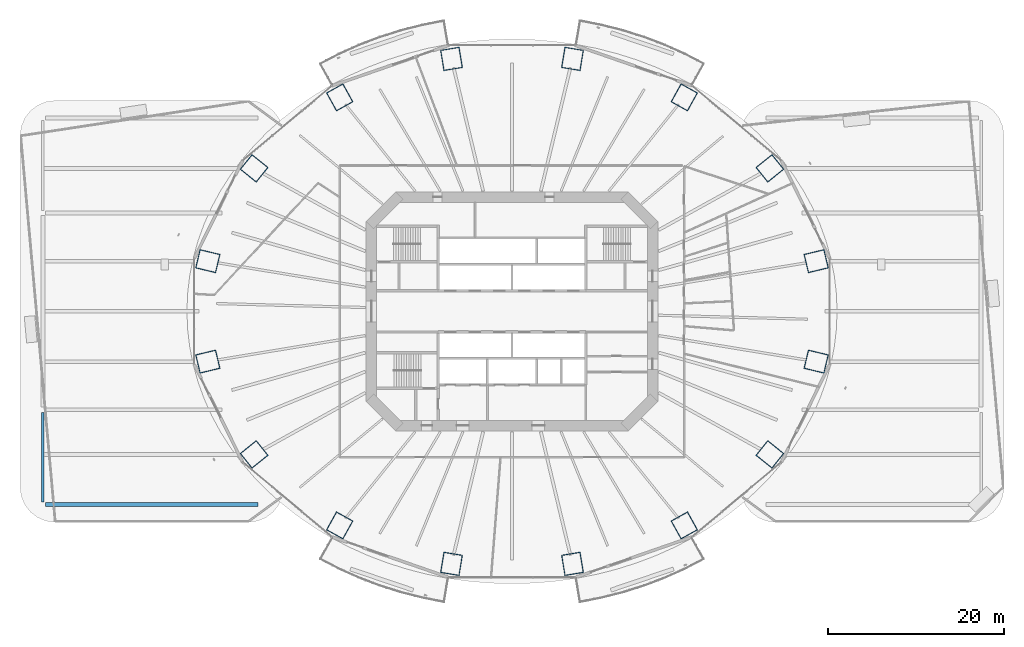
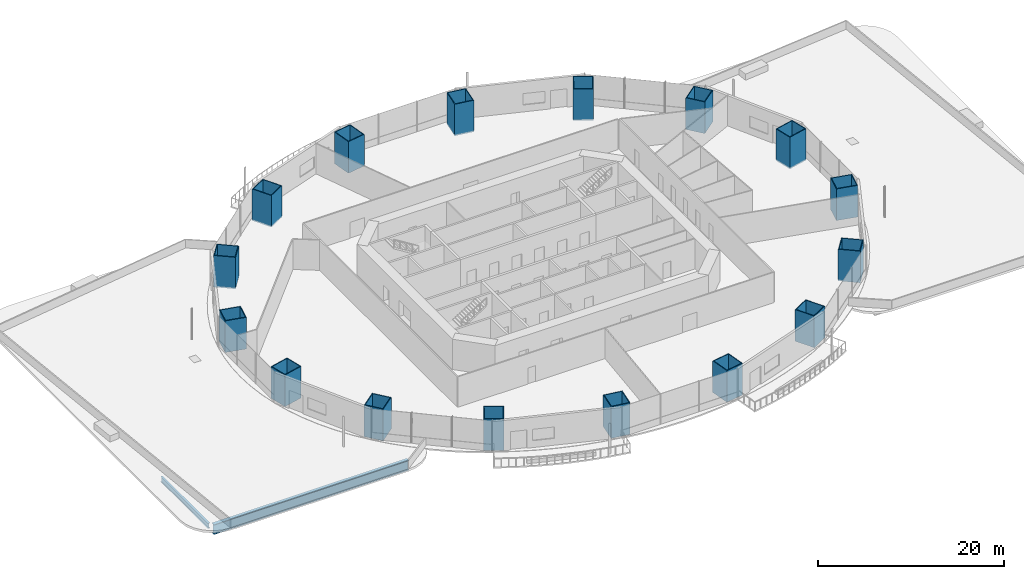
# One storey, part 1 of 27: 16 columns, 2 beams.
"""IFC4 building model written with IfcOpenShell, lengths in metres."""

from ifc_helpers import new_model, si_unit, direction, frame, origin, origin_2d, place, context, subcontext, project, spatial, rectangle, hollow_rectangle, i_section, extrude, material, material_profile, profile_set, type_object, element, save


model = new_model("IFC4")

# Units and contexts
model_context = context("Model", 3, precision=1e-05, world=origin(), true_north=direction((0.0, 1.0)))
body_context = subcontext(model_context, "Body", "Model", "MODEL_VIEW")
ifc_project = project(units=[si_unit("LENGTHUNIT", "METRE"), si_unit("AREAUNIT", "SQUARE_METRE"), si_unit("VOLUMEUNIT", "CUBIC_METRE"), si_unit("PLANEANGLEUNIT", "RADIAN"), si_unit("MASSUNIT", "GRAM", prefix="KILO")], contexts=[model_context])

# Site, building, storey
site_placement = place(None, origin())
site = spatial("IfcSite", under=ifc_project, at=site_placement, CompositionType="ELEMENT")
building_placement = place(site_placement, origin())
building = spatial("IfcBuilding", under=site, at=building_placement, Name="Marenthal Gate Tower", CompositionType="ELEMENT")
storey_placement = place(building_placement, frame((0.0, 0.0, 33.0)))
storey = spatial("IfcBuildingStorey", under=building, at=storey_placement, Name="L04", CompositionType="ELEMENT", Elevation=33.0)

# Columns
ifc_material_1 = material(Name="Steel S460", Category="steel")
ifc_material_profile_1 = material_profile(ifc_material_1, hollow_rectangle(XDim=2.199951171875, YDim=2.39990234375, WallThickness=0.090087890625, at=origin_2d()), Name="CFT BOX 2400X2200X90")
ifc_material_2 = material(Name="Concrete 70 MPa", Category="concrete")
ifc_material_profile_2 = material_profile(ifc_material_2, rectangle(XDim=2.02001953125, YDim=2.219970703125, at=origin_2d()), Name="CFT BOX 2400X2200X90 INFILL")
ifc_profile_set_1 = profile_set([ifc_material_profile_1, ifc_material_profile_2], Name="Steel S460 shell, Concrete 70 MPa infill")
column_type = type_object("IfcColumnType", Name="CFT BOX 2400X2200X90", PredefinedType="COLUMN", material=ifc_profile_set_1)
for number, where, z_axis, x_axis, name in (
    (1, (34.62158203125, 5.716064453125, -0.179931640625), (0.0, 0.0, 1.0), (0.2330465244, -0.972465586777, 0.0), "COL-L04-01"),
    (2, (29.350830078125, 16.2783203125, -0.179931640625), (0.0, 0.0, 1.0), (0.627070248118, -0.778962710228, 0.0), "COL-L04-02"),
    (3, (19.611572265625, 24.362060546875, -0.179931640625), (0.0, 0.0, 1.0), (0.874508838314, -0.485009578989, 0.0), "COL-L04-03"),
    (4, (6.88671875, 28.737060546875, -0.179931640625), (0.0, 0.0, 1.0), (0.986643047777, -0.162897195412, 0.0), "COL-L04-04"),
    (5, (-6.88671875, 28.737060546875, -0.179931640625), (0.0, 0.0, 1.0), (0.986643047777, 0.162897195412, 0.0), "COL-L04-05"),
    (6, (-19.611572265625, 24.362060546875, -0.179931640625), (0.0, 0.0, 1.0), (0.874508838314, 0.485009578989, 0.0), "COL-L04-06"),
    (7, (-29.350830078125, 16.2783203125, -0.179931640625), (0.0, 0.0, 1.0), (0.627070248118, 0.778962710228, 0.0), "COL-L04-07"),
    (8, (-34.62158203125, 5.716064453125, -0.179931640625), (0.0, 0.0, 1.0), (0.2330465244, 0.972465586777, 0.0), "COL-L04-08"),
    (9, (-34.62158203125, -5.716064453125, -0.179931640625), (0.0, 0.0, 1.0), (-0.2330465244, 0.972465586777, 0.0), "COL-L04-09"),
    (10, (-29.350830078125, -16.2783203125, -0.179931640625), (0.0, 0.0, 1.0), (-0.627070248118, 0.778962710228, 0.0), "COL-L04-10"),
    (11, (-19.611572265625, -24.362060546875, -0.179931640625), (0.0, 0.0, 1.0), (-0.874508838314, 0.485009578989, 0.0), "COL-L04-11"),
    (12, (-6.88671875, -28.737060546875, -0.179931640625), (0.0, 0.0, 1.0), (-0.986643047777, 0.162897195412, 0.0), "COL-L04-12"),
    (13, (6.88671875, -28.737060546875, -0.179931640625), (0.0, 0.0, 1.0), (-0.986643047777, -0.162897195412, 0.0), "COL-L04-13"),
    (14, (19.611572265625, -24.362060546875, -0.179931640625), (0.0, 0.0, 1.0), (-0.874508838314, -0.485009578989, 0.0), "COL-L04-14"),
    (15, (29.350830078125, -16.2783203125, -0.179931640625), (0.0, 0.0, 1.0), (-0.627070248118, -0.778962710228, 0.0), "COL-L04-15"),
    (16, (34.62158203125, -5.716064453125, -0.179931640625), (0.0, 0.0, 1.0), (-0.2330465244, -0.972465586777, 0.0), "COL-L04-16"),
):
    element("IfcColumn", number, at=place(storey_placement, frame(where, z_axis=z_axis, x_axis=x_axis)), inside=storey, type_object=column_type, Name=name, PredefinedType="COLUMN", context=body_context, shape_type="SweptSolid", body=[
        extrude(hollow_rectangle(XDim=2.199951171875, YDim=2.39990234375, WallThickness=0.090087890625, at=origin_2d()), origin(), (0.0, 0.0, 1.0), 4.14990234375),
    ])

# Beams
ifc_material_3 = material(Name="Steel S355", Category="steel")
ifc_material_profile_3 = material_profile(ifc_material_3, i_section(OverallWidth=0.4599609375, OverallDepth=1.300048828125, WebThickness=0.02490234375, FlangeThickness=0.044921875, at=origin_2d()), Name="PLATE GIRDER 1300X460X25X45")
ifc_profile_set_2 = profile_set([ifc_material_profile_3], Name="Steel S355")
beam_type_1 = type_object("IfcBeamType", Name="PLATE GIRDER 1300X460X25X45 beam", PredefinedType="BEAM", material=ifc_profile_set_2)
beam_1_placement = place(storey_placement, frame((-28.89990234375, -22.0, -0.989990234375), z_axis=(-1.0, 0.0, 0.0), x_axis=(0.0, -1.0, 0.0)))
element("IfcBeam", 17, at=beam_1_placement, inside=storey, type_object=beam_type_1, Name="BM-L04-116", PredefinedType="BEAM", context=body_context, shape_type="SweptSolid", body=[
    extrude(i_section(OverallWidth=0.4599609375, OverallDepth=1.300048828125, WebThickness=0.02490234375, FlangeThickness=0.044921875, at=origin_2d()), origin(), (0.0, 0.0, 1.0), 24.2001953125),
])
ifc_material_4 = material(Name="Steel S355", Category="steel")
ifc_material_profile_4 = material_profile(ifc_material_4, i_section(OverallWidth=0.25390625, OverallDepth=0.68310546875, WebThickness=0.012451171875, FlangeThickness=0.018798828125, FilletRadius=0.01513671875, at=origin_2d()), Name="W690X140")
ifc_profile_set_3 = profile_set([ifc_material_profile_4], Name="Steel S355")
beam_type_2 = type_object("IfcBeamType", Name="W690X140 beam", PredefinedType="BEAM", material=ifc_profile_set_3)
beam_2_placement = place(storey_placement, frame((-53.39990234375, -21.699951171875, -0.681396484375), z_axis=(0.0, 1.0, 0.0), x_axis=(-1.0, 0.0, 0.0)))
element("IfcBeam", 18, at=beam_2_placement, inside=storey, type_object=beam_type_2, Name="BM-L04-113", PredefinedType="BEAM", context=body_context, shape_type="SweptSolid", body=[
    extrude(i_section(OverallWidth=0.25390625, OverallDepth=0.68310546875, WebThickness=0.012451171875, FlangeThickness=0.018798828125, FilletRadius=0.01513671875, at=origin_2d()), origin(), (0.0, 0.0, 1.0), 10.199951171875),
])

save(model, "model.ifc")
